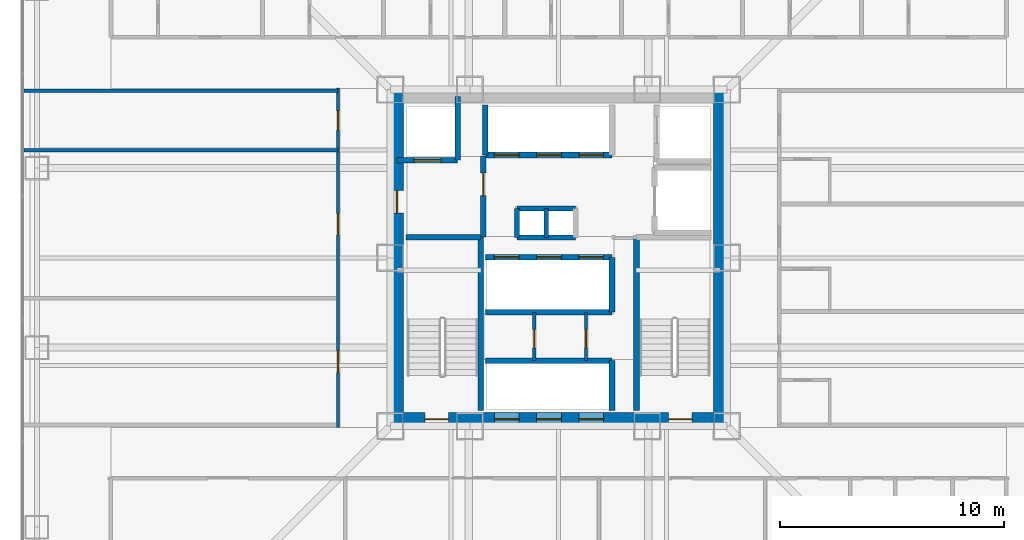
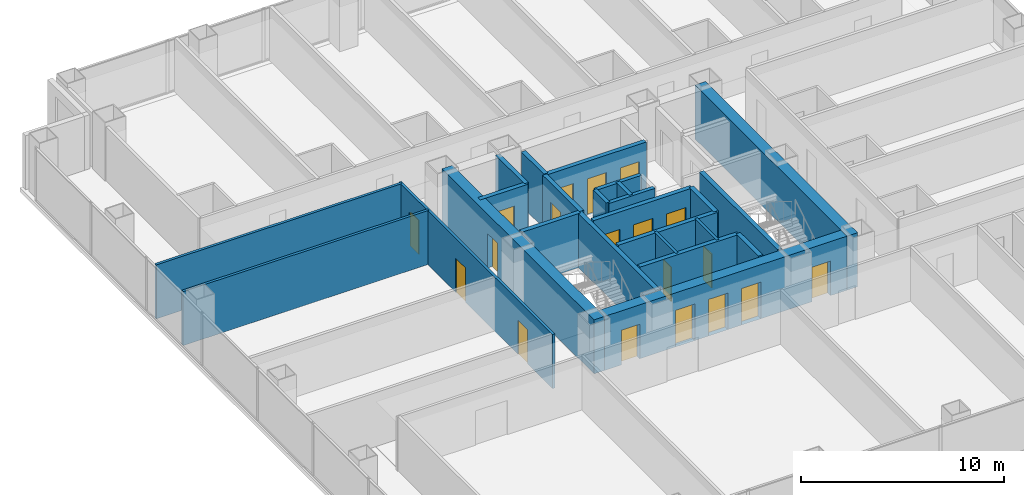
# One storey, part 11 of 16: 25 walls, 19 doors, 19 openings.
"""IFC4 building model written with IfcOpenShell, lengths in metres."""

import ifcopenshell
import ifcopenshell.guid

model = None  # the IFC model being written
_history = None  # IfcOwnerHistory: only IFC2X3 demands one
_inside = {}  # id of a spatial element -> (the spatial element, [elements in it])
_under = {}  # id of a project, library or spatial element -> (it, [spatial elements below it])
_declared = {}  # id of a project -> (the project, [libraries it declares])
_typed = {}  # id of a type object -> (the type object, [elements of that type])
_made_of = {}  # id of a material, layer set ... -> (it, [elements and type objects made of it])


def new_model(schema):
    """Start an empty IFC model of exactly this schema.

    Asked for "IFC4X3", IfcOpenShell would pick the latest addendum, in which some entities
    have other attributes; the version numbers below select the first issue.
    IFC2X3 requires an IfcOwnerHistory on every rooted entity: one is made here for all.
    """
    global model, _history
    if schema == "IFC4X3":
        model = ifcopenshell.file(schema_version=(4, 3, 0, 0))
    else:
        model = ifcopenshell.file(schema=schema)
    _inside.clear()
    _under.clear()
    _declared.clear()
    _typed.clear()
    _made_of.clear()
    _history = None
    if model.schema == "IFC2X3":
        org = make("IfcOrganization", Name="unknown")
        user = make(
            "IfcPersonAndOrganization",
            ThePerson=make("IfcPerson", FamilyName="unknown"),
            TheOrganization=org,
        )
        app = make(
            "IfcApplication",
            ApplicationDeveloper=org,
            Version="unknown",
            ApplicationFullName="unknown",
            ApplicationIdentifier="unknown",
        )
        _history = make(
            "IfcOwnerHistory",
            OwningUser=user,
            OwningApplication=app,
            ChangeAction="ADDED",
            CreationDate=0,
        )
    return model


def make(cls, **values):
    """One entity of the class cls with the attributes given. An attribute that is None is left unset."""
    return model.create_entity(
        cls, **{name: value for name, value in values.items() if value is not None}
    )


def rooted(cls, **values):
    """An entity with a GlobalId (a new one), such as an element, a storey or a relation."""
    return make(cls, GlobalId=ifcopenshell.guid.new(), OwnerHistory=_history, **values)


def si_unit(unit_type, name, prefix=None):
    """IfcSIUnit, for example si_unit("LENGTHUNIT", "METRE", prefix="MILLI")."""
    return make("IfcSIUnit", UnitType=unit_type, Prefix=prefix, Name=name)


def assignment(units):
    """IfcUnitAssignment: the units of a project."""
    return None if units is None else make("IfcUnitAssignment", Units=units)


def point(xyz):
    """IfcCartesianPoint."""
    return None if xyz is None else make("IfcCartesianPoint", Coordinates=xyz)


def direction(xyz):
    """IfcDirection."""
    return None if xyz is None else make("IfcDirection", DirectionRatios=xyz)


def frame(location, z_axis=None, x_axis=None):
    """IfcAxis2Placement3D, a coordinate frame: its origin and axes. An axis left out is left unset."""
    return make(
        "IfcAxis2Placement3D",
        Location=point(location),
        Axis=direction(z_axis),
        RefDirection=direction(x_axis),
    )


def frame_2d(location, x_axis=None):
    """IfcAxis2Placement2D, a coordinate frame in the plane: its origin and x axis."""
    return make(
        "IfcAxis2Placement2D", Location=point(location), RefDirection=direction(x_axis)
    )


def origin():
    """The frame at (0, 0, 0) with its axes left unset."""
    return frame((0.0, 0.0, 0.0))


def place(relative_to, where):
    """IfcLocalPlacement: puts the frame where relative to a parent placement (None: the world)."""
    return make(
        "IfcLocalPlacement", PlacementRelTo=relative_to, RelativePlacement=where
    )


def context(
    kind, dimensions, precision=None, world=None, true_north=None, identifier=None
):
    """IfcGeometricRepresentationContext, for example the 3D "Model" context."""
    return make(
        "IfcGeometricRepresentationContext",
        ContextIdentifier=identifier,
        ContextType=kind,
        CoordinateSpaceDimension=dimensions,
        Precision=precision,
        WorldCoordinateSystem=world,
        TrueNorth=true_north,
    )


def subcontext(parent, identifier, kind, view, scale=None):
    """IfcGeometricRepresentationSubContext, for example "Body" below "Model"."""
    return make(
        "IfcGeometricRepresentationSubContext",
        ContextIdentifier=identifier,
        ContextType=kind,
        ParentContext=parent,
        TargetScale=scale,
        TargetView=view,
    )


def project(units=None, contexts=None):
    """IfcProject with its units and contexts."""
    return rooted(
        "IfcProject",
        Name="project",
        RepresentationContexts=contexts,
        UnitsInContext=assignment(units),
    )


def spatial(cls, under=None, at=None, **own):
    """A site, building, storey or space (cls), placed at a placement, below another one or the project."""
    s = rooted(cls, ObjectPlacement=at, **own)
    if under is not None:
        _under.setdefault(under.id(), (under, []))[1].append(s)
    return s


def profile(cls, at=None, kind="AREA", **sizes):
    """A parametric profile (cls). Its sizes go by their IFC names, for example OverallWidth=200.0."""
    return make(cls, ProfileType=kind, Position=at, **sizes)


def rectangle(**sizes):
    """IfcRectangleProfileDef."""
    return profile("IfcRectangleProfileDef", **sizes)


def extrude(swept, where, along, depth):
    """IfcExtrudedAreaSolid: the profile swept, set in the frame where, extruded along a direction by depth."""
    return make(
        "IfcExtrudedAreaSolid",
        SweptArea=swept,
        Position=where,
        ExtrudedDirection=direction(along),
        Depth=depth,
    )


def shape(context_of_items, identifier, shape_type, items):
    """IfcShapeRepresentation: the items that make up one representation, for example the "Body"."""
    return make(
        "IfcShapeRepresentation",
        ContextOfItems=context_of_items,
        RepresentationIdentifier=identifier,
        RepresentationType=shape_type,
        Items=items,
    )


def material(Name=None, Category=None):
    """IfcMaterial."""
    return make("IfcMaterial", Name=Name, Category=Category)


def layer(
    of_material, thickness, ventilated=None, Name=None, Category=None, Priority=None
):
    """IfcMaterialLayer: one layer of a wall or slab, of a material (None: an air gap)."""
    return make(
        "IfcMaterialLayer",
        Material=of_material,
        LayerThickness=thickness,
        IsVentilated=ventilated,
        Name=Name,
        Category=Category,
        Priority=Priority,
    )


def layer_set(layers, Name=None):
    """IfcMaterialLayerSet."""
    return make("IfcMaterialLayerSet", MaterialLayers=layers, LayerSetName=Name)


def made_of(thing, what):
    """Note that an element or type object is made of a material, layer set ...; save() writes the relation."""
    if what is not None:
        _made_of.setdefault(what.id(), (what, []))[1].append(thing)
    return thing


def type_object(cls, material=None, **own):
    """A type object (cls), such as IfcWallType, which elements share."""
    return made_of(rooted(cls, **own), material)


def element(
    cls,
    number,
    at=None,
    inside=None,
    cuts=None,
    type_object=None,
    material=None,
    context=None,
    identifier="Body",
    shape_type=None,
    held_by="IfcProductDefinitionShape",
    body=None,
    shapes=None,
    **own,
):
    """One element of the class cls, such as IfcWall. Its Tag is "e" and its number.

    at: its placement. inside: the storey or other place that contains it. cuts: it is an
    opening in that element (IfcRelVoidsElement). A single representation is given by context,
    identifier, shape_type and body (its items); several are given by shapes. held_by: the class
    of the entity that holds the representations. save() writes the other relations.
    """
    e = rooted(cls, Tag="e%d" % number, ObjectPlacement=at, **own)
    if body is not None:
        shapes = [shape(context, identifier, shape_type, body)]
    if shapes is not None:
        e.Representation = make(held_by, Representations=shapes)
    if inside is not None:
        _inside.setdefault(inside.id(), (inside, []))[1].append(e)
    if cuts is not None:
        rooted(
            "IfcRelVoidsElement", RelatingBuildingElement=cuts, RelatedOpeningElement=e
        )
    if type_object is not None:
        _typed.setdefault(type_object.id(), (type_object, []))[1].append(e)
    return made_of(e, material)


def fill(opening, filler):
    """IfcRelFillsElement: the door or window that sits in an opening."""
    return rooted(
        "IfcRelFillsElement",
        RelatingOpeningElement=opening,
        RelatedBuildingElement=filler,
    )


def aggregate(whole, parts):
    """IfcRelAggregates: a whole, such as a stair, and the parts it consists of."""
    return rooted("IfcRelAggregates", RelatingObject=whole, RelatedObjects=parts)


def save(model, path):
    """Write the relations noted so far, then the file.

    IfcRelAggregates (storeys below a building ...), IfcRelContainedInSpatialStructure (elements
    in a storey), IfcRelDefinesByType, IfcRelAssociatesMaterial and IfcRelDeclares: one each for
    every whole, place, type object, material and project.
    """
    for whole, parts in _under.values():
        aggregate(whole, parts)
    for where, things in _inside.values():
        rooted(
            "IfcRelContainedInSpatialStructure",
            RelatedElements=things,
            RelatingStructure=where,
        )
    for kind, things in _typed.values():
        rooted("IfcRelDefinesByType", RelatedObjects=things, RelatingType=kind)
    for what, things in _made_of.values():
        rooted("IfcRelAssociatesMaterial", RelatedObjects=things, RelatingMaterial=what)
    for by, libraries in _declared.values():
        rooted("IfcRelDeclares", RelatingContext=by, RelatedDefinitions=libraries)
    model.write(path)


model = new_model("IFC4")

# Units and contexts
model_context = context("Model", 3, precision=1e-05, world=origin(), true_north=direction((0.0, 1.0)))
body_context = subcontext(model_context, "Body", "Model", "MODEL_VIEW")
ifc_project = project(units=[si_unit("LENGTHUNIT", "METRE"), si_unit("AREAUNIT", "SQUARE_METRE"), si_unit("VOLUMEUNIT", "CUBIC_METRE"), si_unit("PLANEANGLEUNIT", "RADIAN"), si_unit("MASSUNIT", "GRAM", prefix="KILO")], contexts=[model_context])

# Site, building, storey
site_placement = place(None, origin())
site = spatial("IfcSite", under=ifc_project, at=site_placement, CompositionType="ELEMENT")
building_placement = place(site_placement, origin())
building = spatial("IfcBuilding", under=site, at=building_placement, Name="Trevonay Congress Spire", CompositionType="ELEMENT")
storey_placement = place(building_placement, frame((0.0, 0.0, 72.5)))
storey = spatial("IfcBuildingStorey", under=building, at=storey_placement, Name="L18", CompositionType="ELEMENT", Elevation=72.5)

# Wall, openings, doors
ifc_material_1 = material(Name="Concrete C60/75", Category="concrete")
ifc_layer_1 = layer(ifc_material_1, 0.60009765625, Name="Concrete C60/75")
ifc_layer_set_1 = layer_set([ifc_layer_1], Name="Concrete C60/75")
wall_type_1 = type_object("IfcWallType", Name="WAL-CORE-600", PredefinedType="SHEAR", material=ifc_layer_set_1)
wall_1_placement = place(storey_placement, frame((-7.5, -7.199951171875, 0.0), z_axis=(0.0, 0.0, 1.0), x_axis=(1.0, 0.0, 0.0)))
wall_1 = element("IfcWall", 1, at=wall_1_placement, inside=storey, type_object=wall_type_1, Name="L18 South structural core shear wall", PredefinedType="SHEAR", context=body_context, shape_type="SweptSolid", body=[
    extrude(rectangle(XDim=15.0, YDim=0.60009765625, at=frame_2d((7.5, 0.0))), origin(), (0.0, 0.0, 1.0), 3.25),
])
opening_1_placement = place(wall_1_placement, frame((1.550048828125, 0.0, 0.0)))
opening_1 = element("IfcOpeningElement", 2, at=opening_1_placement, cuts=wall_1, Name="Opening D05", PredefinedType="OPENING", context=body_context, shape_type="SweptSolid", body=[
    extrude(rectangle(XDim=1.050048828125, YDim=2.080078125, at=frame_2d((0.52490234375, 1.0400390625))), frame((0.0, 0.31005859375, 0.0), z_axis=(0.0, -1.0, 0.0), x_axis=(1.0, 0.0, 0.0)), (0.0, 0.0, 1.0), 0.6201171875),
])
opening_2_placement = place(wall_1_placement, frame((12.39990234375, 0.0, 0.0)))
opening_2 = element("IfcOpeningElement", 3, at=opening_2_placement, cuts=wall_1, Name="Opening D05", PredefinedType="OPENING", context=body_context, shape_type="SweptSolid", body=[
    extrude(rectangle(XDim=1.050048828125, YDim=2.080078125, at=frame_2d((0.52490234375, 1.0400390625))), frame((0.0, 0.31005859375, 0.0), z_axis=(0.0, -1.0, 0.0), x_axis=(1.0, 0.0, 0.0)), (0.0, 0.0, 1.0), 0.6201171875),
])
opening_3_placement = place(wall_1_placement, frame((4.639892578125, 0.0, 0.0)))
opening_3 = element("IfcOpeningElement", 4, at=opening_3_placement, cuts=wall_1, Name="Opening LD01", PredefinedType="OPENING", context=body_context, shape_type="SweptSolid", body=[
    extrude(rectangle(XDim=1.10009765625, YDim=2.199951171875, at=frame_2d((0.550048828125, 1.10009765625))), frame((0.0, 0.31005859375, 0.0), z_axis=(0.0, -1.0, 0.0), x_axis=(1.0, 0.0, 0.0)), (0.0, 0.0, 1.0), 0.6201171875),
])
opening_4_placement = place(wall_1_placement, frame((6.52001953125, 0.0, 0.0)))
opening_4 = element("IfcOpeningElement", 5, at=opening_4_placement, cuts=wall_1, Name="Opening LD01", PredefinedType="OPENING", context=body_context, shape_type="SweptSolid", body=[
    extrude(rectangle(XDim=1.10009765625, YDim=2.199951171875, at=frame_2d((0.550048828125, 1.10009765625))), frame((0.0, 0.31005859375, 0.0), z_axis=(0.0, -1.0, 0.0), x_axis=(1.0, 0.0, 0.0)), (0.0, 0.0, 1.0), 0.6201171875),
])
opening_5_placement = place(wall_1_placement, frame((8.39990234375, 0.0, 0.0)))
opening_5 = element("IfcOpeningElement", 6, at=opening_5_placement, cuts=wall_1, Name="Opening LD01", PredefinedType="OPENING", context=body_context, shape_type="SweptSolid", body=[
    extrude(rectangle(XDim=1.10009765625, YDim=2.199951171875, at=frame_2d((0.550048828125, 1.10009765625))), frame((0.0, 0.31005859375, 0.0), z_axis=(0.0, -1.0, 0.0), x_axis=(1.0, 0.0, 0.0)), (0.0, 0.0, 1.0), 0.6201171875),
])
ifc_material_2 = material(Name="Pale Anodised Aluminium EN AW-6063-T6", Category="aluminium")
door_type_1 = type_object("IfcDoorType", Name="DOR-LIFT-LD01", OperationType="DOUBLE_DOOR_SLIDING", PredefinedType="DOOR", material=ifc_material_2)
door_1_placement = place(opening_3_placement, origin())
door_1 = element("IfcDoor", 7, at=door_1_placement, inside=storey, type_object=door_type_1, Name="L18 Passenger lift PL-01 landing door", OperationType="DOUBLE_DOOR_SLIDING", OverallHeight=2.199951171875, OverallWidth=1.10009765625, PredefinedType="DOOR", context=body_context, shape_type="SweptSolid", body=[
    extrude(rectangle(XDim=1.10009765625, YDim=2.199951171875, at=frame_2d((0.550048828125, 1.10009765625))), frame((0.0, 0.02490234375, 0.0), z_axis=(0.0, -1.0, 0.0), x_axis=(1.0, 0.0, 0.0)), (0.0, 0.0, 1.0), 0.050048828125),
])
fill(opening_3, door_1)
door_2_placement = place(opening_4_placement, origin())
door_2 = element("IfcDoor", 8, at=door_2_placement, inside=storey, type_object=door_type_1, Name="L18 Passenger lift PL-02 landing door", OperationType="DOUBLE_DOOR_SLIDING", OverallHeight=2.199951171875, OverallWidth=1.10009765625, PredefinedType="DOOR", context=body_context, shape_type="SweptSolid", body=[
    extrude(rectangle(XDim=1.10009765625, YDim=2.199951171875, at=frame_2d((0.550048828125, 1.10009765625))), frame((0.0, 0.02490234375, 0.0), z_axis=(0.0, -1.0, 0.0), x_axis=(1.0, 0.0, 0.0)), (0.0, 0.0, 1.0), 0.050048828125),
])
fill(opening_4, door_2)
door_3_placement = place(opening_5_placement, origin())
door_3 = element("IfcDoor", 9, at=door_3_placement, inside=storey, type_object=door_type_1, Name="L18 Passenger lift PL-03 landing door", OperationType="DOUBLE_DOOR_SLIDING", OverallHeight=2.199951171875, OverallWidth=1.10009765625, PredefinedType="DOOR", context=body_context, shape_type="SweptSolid", body=[
    extrude(rectangle(XDim=1.10009765625, YDim=2.199951171875, at=frame_2d((0.550048828125, 1.10009765625))), frame((0.0, 0.02490234375, 0.0), z_axis=(0.0, -1.0, 0.0), x_axis=(1.0, 0.0, 0.0)), (0.0, 0.0, 1.0), 0.050048828125),
])
fill(opening_5, door_3)
ifc_material_3 = material(Name="Steel ASTM A572 Grade 50", Category="steel")
door_type_2 = type_object("IfcDoorType", Name="DOR-STAIR-110", OperationType="NOTDEFINED", PredefinedType="DOOR", material=ifc_material_3)
door_4_placement = place(opening_1_placement, origin())
door_4 = element("IfcDoor", 10, at=door_4_placement, inside=storey, type_object=door_type_2, Name="L18 Protected Stair ST-1 Door", OperationType="SINGLE_SWING_LEFT", OverallHeight=2.080078125, OverallWidth=1.050048828125, PredefinedType="DOOR", context=body_context, shape_type="SweptSolid", body=[
    extrude(rectangle(XDim=1.050048828125, YDim=2.080078125, at=frame_2d((0.52490234375, 1.0400390625))), frame((0.0, 0.02490234375, 0.0), z_axis=(0.0, -1.0, 0.0), x_axis=(1.0, 0.0, 0.0)), (0.0, 0.0, 1.0), 0.050048828125),
])
fill(opening_1, door_4)
door_5_placement = place(opening_2_placement, origin())
door_5 = element("IfcDoor", 11, at=door_5_placement, inside=storey, type_object=door_type_2, Name="L18 Protected Stair ST-2 Door", OperationType="SINGLE_SWING_RIGHT", OverallHeight=2.080078125, OverallWidth=1.050048828125, PredefinedType="DOOR", context=body_context, shape_type="SweptSolid", body=[
    extrude(rectangle(XDim=1.050048828125, YDim=2.080078125, at=frame_2d((0.52490234375, 1.0400390625))), frame((0.0, 0.02490234375, 0.0), z_axis=(0.0, -1.0, 0.0), x_axis=(1.0, 0.0, 0.0)), (0.0, 0.0, 1.0), 0.050048828125),
])
fill(opening_2, door_5)

# Wall, opening, door
wall_2_placement = place(storey_placement, frame((-7.199951171875, -7.5, 0.0), z_axis=(0.0, 0.0, 1.0), x_axis=(0.0, 1.0, 0.0)))
wall_2 = element("IfcWall", 12, at=wall_2_placement, inside=storey, type_object=wall_type_1, Name="L18 West structural core shear wall", PredefinedType="SHEAR", context=body_context, shape_type="SweptSolid", body=[
    extrude(rectangle(XDim=15.0, YDim=0.60009765625, at=frame_2d((7.5, 0.0))), origin(), (0.0, 0.0, 1.0), 3.25),
])
opening_6_placement = place(wall_2_placement, frame((9.5, 0.0, 0.0)))
opening_6 = element("IfcOpeningElement", 13, at=opening_6_placement, cuts=wall_2, Name="Opening D06", PredefinedType="OPENING", context=body_context, shape_type="SweptSolid", body=[
    extrude(rectangle(XDim=1.0, YDim=2.080078125, at=frame_2d((0.5, 1.0400390625))), frame((0.0, 0.31005859375, 0.0), z_axis=(0.0, -1.0, 0.0), x_axis=(1.0, 0.0, 0.0)), (0.0, 0.0, 1.0), 0.6201171875),
])
door_type_3 = type_object("IfcDoorType", Name="DOR-FIRE-100", OperationType="NOTDEFINED", PredefinedType="DOOR", material=ifc_material_3)
door_6_placement = place(opening_6_placement, origin())
door_6 = element("IfcDoor", 14, at=door_6_placement, inside=storey, type_object=door_type_3, Name="L18 Firefighting Lift Lobby West Corridor Door", OperationType="SINGLE_SWING_LEFT", OverallHeight=2.080078125, OverallWidth=1.0, PredefinedType="DOOR", context=body_context, shape_type="SweptSolid", body=[
    extrude(rectangle(XDim=1.0, YDim=2.080078125, at=frame_2d((0.5, 1.0400390625))), frame((0.0, 0.02490234375, 0.0), z_axis=(0.0, -1.0, 0.0), x_axis=(1.0, 0.0, 0.0)), (0.0, 0.0, 1.0), 0.050048828125),
])
fill(opening_6, door_6)

# Wall
wall_3_placement = place(storey_placement, frame((7.199951171875, -7.5, 0.0), z_axis=(0.0, 0.0, 1.0), x_axis=(0.0, 1.0, 0.0)))
element("IfcWall", 15, at=wall_3_placement, inside=storey, type_object=wall_type_1, Name="L18 East structural core shear wall", PredefinedType="SHEAR", context=body_context, shape_type="SweptSolid", body=[
    extrude(rectangle(XDim=15.0, YDim=0.60009765625, at=frame_2d((7.5, 0.0))), origin(), (0.0, 0.0, 1.0), 3.25),
])

# Wall, openings, doors
ifc_material_4 = material(Name="Concrete C40/50", Category="concrete")
ifc_layer_2 = layer(ifc_material_4, 0.14990234375, Name="Concrete C40/50")
ifc_layer_set_2 = layer_set([ifc_layer_2], Name="Concrete C40/50")
wall_type_2 = type_object("IfcWallType", Name="WAL-CORR-150", PredefinedType="PARTITIONING", material=ifc_layer_set_2)
wall_4_placement = place(storey_placement, frame((-9.830078125, -7.570068359375, 0.0), z_axis=(0.0, 0.0, 1.0), x_axis=(0.0, 1.0, 0.0)))
wall_4 = element("IfcWall", 16, at=wall_4_placement, inside=storey, type_object=wall_type_2, Name="L18 interior wall WP-L18W-COR", PredefinedType="PARTITIONING", context=body_context, shape_type="SweptSolid", body=[
    extrude(rectangle(XDim=15.14013671875, YDim=0.14990234375, at=frame_2d((7.570068359375, 0.0))), origin(), (0.0, 0.0, 1.0), 3.25),
])
opening_7_placement = place(wall_4_placement, frame((2.469970703125, 0.0, 0.0)))
opening_7 = element("IfcOpeningElement", 17, at=opening_7_placement, cuts=wall_4, Name="Opening D07", PredefinedType="OPENING", context=body_context, shape_type="SweptSolid", body=[
    extrude(rectangle(XDim=0.949951171875, YDim=2.06005859375, at=frame_2d((0.47509765625, 1.030029296875))), frame((0.0, 0.0849609375, 0.0), z_axis=(0.0, -1.0, 0.0), x_axis=(1.0, 0.0, 0.0)), (0.0, 0.0, 1.0), 0.169921875),
])
opening_8_placement = place(wall_4_placement, frame((8.594970703125, 0.0, 0.0)))
opening_8 = element("IfcOpeningElement", 18, at=opening_8_placement, cuts=wall_4, Name="Opening D07", PredefinedType="OPENING", context=body_context, shape_type="SweptSolid", body=[
    extrude(rectangle(XDim=0.949951171875, YDim=2.06005859375, at=frame_2d((0.47509765625, 1.030029296875))), frame((0.0, 0.0849609375, 0.0), z_axis=(0.0, -1.0, 0.0), x_axis=(1.0, 0.0, 0.0)), (0.0, 0.0, 1.0), 0.169921875),
])
opening_9_placement = place(wall_4_placement, frame((13.27001953125, 0.0, 0.0)))
opening_9 = element("IfcOpeningElement", 19, at=opening_9_placement, cuts=wall_4, Name="Opening D10", PredefinedType="OPENING", context=body_context, shape_type="SweptSolid", body=[
    extrude(rectangle(XDim=0.85009765625, YDim=2.050048828125, at=frame_2d((0.425048828125, 1.02490234375))), frame((0.0, 0.0849609375, 0.0), z_axis=(0.0, -1.0, 0.0), x_axis=(1.0, 0.0, 0.0)), (0.0, 0.0, 1.0), 0.169921875),
])
door_type_4 = type_object("IfcDoorType", Name="DOR-OFFICE-95", OperationType="NOTDEFINED", PredefinedType="DOOR", material=ifc_material_2)
door_7_placement = place(opening_7_placement, origin())
door_7 = element("IfcDoor", 20, at=door_7_placement, inside=storey, type_object=door_type_4, Name="L18 Private Dining Boardroom 1 Door", OperationType="SINGLE_SWING_LEFT", OverallHeight=2.06005859375, OverallWidth=0.949951171875, PredefinedType="DOOR", context=body_context, shape_type="SweptSolid", body=[
    extrude(rectangle(XDim=0.949951171875, YDim=2.06005859375, at=frame_2d((0.47509765625, 1.030029296875))), frame((0.0, 0.02490234375, 0.0), z_axis=(0.0, -1.0, 0.0), x_axis=(1.0, 0.0, 0.0)), (0.0, 0.0, 1.0), 0.050048828125),
])
fill(opening_7, door_7)
door_8_placement = place(opening_8_placement, origin())
door_8 = element("IfcDoor", 21, at=door_8_placement, inside=storey, type_object=door_type_4, Name="L18 Housekeeping and Linen Room Door", OperationType="SINGLE_SWING_RIGHT", OverallHeight=2.06005859375, OverallWidth=0.949951171875, PredefinedType="DOOR", context=body_context, shape_type="SweptSolid", body=[
    extrude(rectangle(XDim=0.949951171875, YDim=2.06005859375, at=frame_2d((0.47509765625, 1.030029296875))), frame((0.0, 0.02490234375, 0.0), z_axis=(0.0, -1.0, 0.0), x_axis=(1.0, 0.0, 0.0)), (0.0, 0.0, 1.0), 0.050048828125),
])
fill(opening_8, door_8)
door_type_5 = type_object("IfcDoorType", Name="DOR-WC-85", OperationType="NOTDEFINED", PredefinedType="DOOR", material=ifc_material_2)
door_9_placement = place(opening_9_placement, origin())
door_9 = element("IfcDoor", 22, at=door_9_placement, inside=storey, type_object=door_type_5, Name="L18 Male Restroom WC Door", OperationType="SINGLE_SWING_LEFT", OverallHeight=2.050048828125, OverallWidth=0.85009765625, PredefinedType="DOOR", context=body_context, shape_type="SweptSolid", body=[
    extrude(rectangle(XDim=0.85009765625, YDim=2.050048828125, at=frame_2d((0.425048828125, 1.02490234375))), frame((0.0, 0.02490234375, 0.0), z_axis=(0.0, -1.0, 0.0), x_axis=(1.0, 0.0, 0.0)), (0.0, 0.0, 1.0), 0.050048828125),
])
fill(opening_9, door_9)

# Wall, opening, door
ifc_layer_3 = layer(ifc_material_4, 0.14990234375, Name="Concrete C40/50")
ifc_layer_set_3 = layer_set([ifc_layer_3], Name="Concrete C40/50")
wall_type_3 = type_object("IfcWallType", Name="WAL-PART-150", PredefinedType="PARTITIONING", material=ifc_layer_set_3)
wall_5_placement = place(storey_placement, frame((-1.080078125, -4.570068359375, 0.0), z_axis=(0.0, 0.0, 1.0), x_axis=(0.0, 1.0, 0.0)))
wall_5 = element("IfcWall", 23, at=wall_5_placement, inside=storey, type_object=wall_type_3, Name="L18 interior wall CW-K3-IT-L18", PredefinedType="PARTITIONING", context=body_context, shape_type="SweptSolid", body=[
    extrude(rectangle(XDim=2.14013671875, YDim=0.14990234375, at=frame_2d((1.070068359375, 0.0))), origin(), (0.0, 0.0, 1.0), 3.25),
])
opening_10_placement = place(wall_5_placement, frame((0.550048828125, 0.0, 0.0)))
opening_10 = element("IfcOpeningElement", 24, at=opening_10_placement, cuts=wall_5, Name="Opening D13", PredefinedType="OPENING", context=body_context, shape_type="SweptSolid", body=[
    extrude(rectangle(XDim=0.820068359375, YDim=2.050048828125, at=frame_2d((0.41015625, 1.02490234375))), frame((0.0, 0.0849609375, 0.0), z_axis=(0.0, -1.0, 0.0), x_axis=(1.0, 0.0, 0.0)), (0.0, 0.0, 1.0), 0.169921875),
])
door_type_6 = type_object("IfcDoorType", Name="DOR-UTIL-80", OperationType="NOTDEFINED", PredefinedType="DOOR", material=ifc_material_3)
door_10_placement = place(opening_10_placement, origin())
door_10 = element("IfcDoor", 25, at=door_10_placement, inside=storey, type_object=door_type_6, Name="L18 Core IT Door", OperationType="SINGLE_SWING_RIGHT", OverallHeight=2.050048828125, OverallWidth=0.820068359375, PredefinedType="DOOR", context=body_context, shape_type="SweptSolid", body=[
    extrude(rectangle(XDim=0.820068359375, YDim=2.050048828125, at=frame_2d((0.41015625, 1.02490234375))), frame((0.0, 0.02490234375, 0.0), z_axis=(0.0, -1.0, 0.0), x_axis=(1.0, 0.0, 0.0)), (0.0, 0.0, 1.0), 0.050048828125),
])
fill(opening_10, door_10)

wall_6_placement = place(storey_placement, frame((1.219970703125, -4.570068359375, 0.0), z_axis=(0.0, 0.0, 1.0), x_axis=(0.0, 1.0, 0.0)))
wall_6 = element("IfcWall", 26, at=wall_6_placement, inside=storey, type_object=wall_type_3, Name="L18 interior wall CW-K3-JAN-L18", PredefinedType="PARTITIONING", context=body_context, shape_type="SweptSolid", body=[
    extrude(rectangle(XDim=2.14013671875, YDim=0.14990234375, at=frame_2d((1.070068359375, 0.0))), origin(), (0.0, 0.0, 1.0), 3.25),
])
opening_11_placement = place(wall_6_placement, frame((0.550048828125, 0.0, 0.0)))
opening_11 = element("IfcOpeningElement", 27, at=opening_11_placement, cuts=wall_6, Name="Opening D13", PredefinedType="OPENING", context=body_context, shape_type="SweptSolid", body=[
    extrude(rectangle(XDim=0.820068359375, YDim=2.050048828125, at=frame_2d((0.41015625, 1.02490234375))), frame((0.0, 0.0849609375, 0.0), z_axis=(0.0, -1.0, 0.0), x_axis=(1.0, 0.0, 0.0)), (0.0, 0.0, 1.0), 0.169921875),
])
door_11_placement = place(opening_11_placement, origin())
door_11 = element("IfcDoor", 28, at=door_11_placement, inside=storey, type_object=door_type_6, Name="L18 Core JAN Door", OperationType="SINGLE_SWING_LEFT", OverallHeight=2.050048828125, OverallWidth=0.820068359375, PredefinedType="DOOR", context=body_context, shape_type="SweptSolid", body=[
    extrude(rectangle(XDim=0.820068359375, YDim=2.050048828125, at=frame_2d((0.41015625, 1.02490234375))), frame((0.0, 0.02490234375, 0.0), z_axis=(0.0, -1.0, 0.0), x_axis=(1.0, 0.0, 0.0)), (0.0, 0.0, 1.0), 0.050048828125),
])
fill(opening_11, door_11)

# Walls
for number, where, z_axis, x_axis, name in (
    (29, (-23.820068359375, 4.800048828125, 0.0), (0.0, 0.0, 1.0), (1.0, 0.0, 0.0), "L18 interior wall WP-L18W-DIV3"),
    (30, (-23.820068359375, 7.449951171875, 0.0), (0.0, 0.0, 1.0), (1.0, 0.0, 0.0), "L18 interior wall WP-L18W-DIV4"),
):
    element("IfcWall", number, at=place(storey_placement, frame(where, z_axis=z_axis, x_axis=x_axis)), inside=storey, type_object=wall_type_3, Name=name, PredefinedType="PARTITIONING", context=body_context, shape_type="SweptSolid", body=[
        extrude(rectangle(XDim=13.989990234375, YDim=0.14990234375, at=frame_2d((6.9951171875, 0.0))), origin(), (0.0, 0.0, 1.0), 3.25),
    ])
ifc_layer_4 = layer(ifc_material_4, 0.219970703125, Name="Concrete C40/50")
ifc_layer_set_4 = layer_set([ifc_layer_4], Name="Concrete C40/50")
wall_type_4 = type_object("IfcWallType", Name="WAL-SHAFT-220", PredefinedType="PARTITIONING", material=ifc_layer_set_4)
for number, where, z_axis, x_axis, name in (
    (31, (-1.85009765625, 2.199951171875, 0.0), (0.0, 0.0, 1.0), (1.0, 0.0, 0.0), "L18 interior shaft wall WSH-L18-RSR-N"),
    (32, (-1.85009765625, 0.89990234375, 0.0), (0.0, 0.0, 1.0), (1.0, 0.0, 0.0), "L18 interior shaft wall WSH-L18-RSR-S"),
):
    element("IfcWall", number, at=place(storey_placement, frame(where, z_axis=z_axis, x_axis=x_axis)), inside=storey, type_object=wall_type_4, Name=name, PredefinedType="PARTITIONING", context=body_context, shape_type="SweptSolid", body=[
        extrude(rectangle(XDim=2.60009765625, YDim=0.219970703125, at=frame_2d((1.300048828125, 0.0))), origin(), (0.0, 0.0, 1.0), 3.25),
    ])
for number, where, z_axis, x_axis, name in (
    (33, (-0.550048828125, 0.89990234375, 0.0), (0.0, 0.0, 1.0), (0.0, 1.0, 0.0), "L18 interior shaft wall WSH-L18-RSR-M"),
    (34, (-1.85009765625, 0.89990234375, 0.0), (0.0, 0.0, 1.0), (0.0, 1.0, 0.0), "L18 interior shaft wall WSH-L18-RSR-W"),
):
    element("IfcWall", number, at=place(storey_placement, frame(where, z_axis=z_axis, x_axis=x_axis)), inside=storey, type_object=wall_type_4, Name=name, PredefinedType="PARTITIONING", context=body_context, shape_type="SweptSolid", body=[
        extrude(rectangle(XDim=1.300048828125, YDim=0.219970703125, at=frame_2d((0.64990234375, 0.0))), origin(), (0.0, 0.0, 1.0), 3.25),
    ])
ifc_layer_5 = layer(ifc_material_4, 0.25, Name="Concrete C40/50")
ifc_layer_set_5 = layer_set([ifc_layer_5], Name="Concrete C40/50")
wall_type_5 = type_object("IfcWallType", Name="WAL-SHAFT-250", PredefinedType="SHEAR", material=ifc_layer_set_5)
wall_7_placement = place(storey_placement, frame((-3.260009765625, -4.580078125, 0.0), z_axis=(0.0, 0.0, 1.0), x_axis=(1.0, 0.0, 0.0)))
element("IfcWall", 35, at=wall_7_placement, inside=storey, type_object=wall_type_5, Name="L18 interior shaft wall WSH-L18-B1-N", PredefinedType="SHEAR", context=body_context, shape_type="SweptSolid", body=[
    extrude(rectangle(XDim=5.639892578125, YDim=0.25, at=frame_2d((2.81982421875, 0.0))), origin(), (0.0, 0.0, 1.0), 3.25),
])
wall_8_placement = place(storey_placement, frame((2.3798828125, -6.800048828125, 0.0), z_axis=(0.0, 0.0, 1.0), x_axis=(0.0, 1.0, 0.0)))
element("IfcWall", 36, at=wall_8_placement, inside=storey, type_object=wall_type_5, Name="L18 interior shaft wall WSH-L18-B1-E", PredefinedType="SHEAR", context=body_context, shape_type="SweptSolid", body=[
    extrude(rectangle(XDim=2.219970703125, YDim=0.25, at=frame_2d((1.10986328125, 0.0))), origin(), (0.0, 0.0, 1.0), 3.25),
])

# Wall, openings, doors
wall_9_placement = place(storey_placement, frame((-3.260009765625, 0.02001953125, 0.0), z_axis=(0.0, 0.0, 1.0), x_axis=(1.0, 0.0, 0.0)))
wall_9 = element("IfcWall", 37, at=wall_9_placement, inside=storey, type_object=wall_type_5, Name="L18 interior shaft wall WSH-L18-B2-N", PredefinedType="SHEAR", context=body_context, shape_type="SweptSolid", body=[
    extrude(rectangle(XDim=5.639892578125, YDim=0.25, at=frame_2d((2.81982421875, 0.0))), origin(), (0.0, 0.0, 1.0), 3.25),
])
opening_12_placement = place(wall_9_placement, frame((0.39990234375, 0.0, 0.0)))
opening_12 = element("IfcOpeningElement", 38, at=opening_12_placement, cuts=wall_9, Name="Opening LD02", PredefinedType="OPENING", context=body_context, shape_type="SweptSolid", body=[
    extrude(rectangle(XDim=1.10009765625, YDim=2.199951171875, at=frame_2d((0.550048828125, 1.10009765625))), frame((0.0, 0.135009765625, 0.0), z_axis=(0.0, -1.0, 0.0), x_axis=(1.0, 0.0, 0.0)), (0.0, 0.0, 1.0), 0.27001953125),
])
opening_13_placement = place(wall_9_placement, frame((2.280029296875, 0.0, 0.0)))
opening_13 = element("IfcOpeningElement", 39, at=opening_13_placement, cuts=wall_9, Name="Opening LD02", PredefinedType="OPENING", context=body_context, shape_type="SweptSolid", body=[
    extrude(rectangle(XDim=1.10009765625, YDim=2.199951171875, at=frame_2d((0.550048828125, 1.10009765625))), frame((0.0, 0.135009765625, 0.0), z_axis=(0.0, -1.0, 0.0), x_axis=(1.0, 0.0, 0.0)), (0.0, 0.0, 1.0), 0.27001953125),
])
opening_14_placement = place(wall_9_placement, frame((4.159912109375, 0.0, 0.0)))
opening_14 = element("IfcOpeningElement", 40, at=opening_14_placement, cuts=wall_9, Name="Opening LD02", PredefinedType="OPENING", context=body_context, shape_type="SweptSolid", body=[
    extrude(rectangle(XDim=1.10009765625, YDim=2.199951171875, at=frame_2d((0.550048828125, 1.10009765625))), frame((0.0, 0.135009765625, 0.0), z_axis=(0.0, -1.0, 0.0), x_axis=(1.0, 0.0, 0.0)), (0.0, 0.0, 1.0), 0.27001953125),
])
door_type_7 = type_object("IfcDoorType", Name="DOR-LIFT-LD02", OperationType="DOUBLE_DOOR_SLIDING", PredefinedType="DOOR", material=ifc_material_2)
door_12_placement = place(opening_12_placement, origin())
door_12 = element("IfcDoor", 41, at=door_12_placement, inside=storey, type_object=door_type_7, Name="L18 Passenger lift PL-04 landing door", OperationType="DOUBLE_DOOR_SLIDING", OverallHeight=2.199951171875, OverallWidth=1.10009765625, PredefinedType="DOOR", context=body_context, shape_type="SweptSolid", body=[
    extrude(rectangle(XDim=1.10009765625, YDim=2.199951171875, at=frame_2d((0.550048828125, 1.10009765625))), frame((0.0, 0.02490234375, 0.0), z_axis=(0.0, -1.0, 0.0), x_axis=(1.0, 0.0, 0.0)), (0.0, 0.0, 1.0), 0.050048828125),
])
fill(opening_12, door_12)
door_13_placement = place(opening_13_placement, origin())
door_13 = element("IfcDoor", 42, at=door_13_placement, inside=storey, type_object=door_type_7, Name="L18 Passenger lift PL-05 landing door", OperationType="DOUBLE_DOOR_SLIDING", OverallHeight=2.199951171875, OverallWidth=1.10009765625, PredefinedType="DOOR", context=body_context, shape_type="SweptSolid", body=[
    extrude(rectangle(XDim=1.10009765625, YDim=2.199951171875, at=frame_2d((0.550048828125, 1.10009765625))), frame((0.0, 0.02490234375, 0.0), z_axis=(0.0, -1.0, 0.0), x_axis=(1.0, 0.0, 0.0)), (0.0, 0.0, 1.0), 0.050048828125),
])
fill(opening_13, door_13)
door_14_placement = place(opening_14_placement, origin())
door_14 = element("IfcDoor", 43, at=door_14_placement, inside=storey, type_object=door_type_7, Name="L18 Passenger lift PL-06 landing door", OperationType="DOUBLE_DOOR_SLIDING", OverallHeight=2.199951171875, OverallWidth=1.10009765625, PredefinedType="DOOR", context=body_context, shape_type="SweptSolid", body=[
    extrude(rectangle(XDim=1.10009765625, YDim=2.199951171875, at=frame_2d((0.550048828125, 1.10009765625))), frame((0.0, 0.02490234375, 0.0), z_axis=(0.0, -1.0, 0.0), x_axis=(1.0, 0.0, 0.0)), (0.0, 0.0, 1.0), 0.050048828125),
])
fill(opening_14, door_14)

# Walls
wall_10_placement = place(storey_placement, frame((-3.260009765625, -2.419921875, 0.0), z_axis=(0.0, 0.0, 1.0), x_axis=(1.0, 0.0, 0.0)))
element("IfcWall", 44, at=wall_10_placement, inside=storey, type_object=wall_type_5, Name="L18 interior shaft wall WSH-L18-B2-S", PredefinedType="SHEAR", context=body_context, shape_type="SweptSolid", body=[
    extrude(rectangle(XDim=5.639892578125, YDim=0.25, at=frame_2d((2.81982421875, 0.0))), origin(), (0.0, 0.0, 1.0), 3.25),
])
wall_11_placement = place(storey_placement, frame((2.3798828125, -2.419921875, 0.0), z_axis=(0.0, 0.0, 1.0), x_axis=(0.0, 1.0, 0.0)))
element("IfcWall", 45, at=wall_11_placement, inside=storey, type_object=wall_type_5, Name="L18 interior shaft wall WSH-L18-B2-E", PredefinedType="SHEAR", context=body_context, shape_type="SweptSolid", body=[
    extrude(rectangle(XDim=2.43994140625, YDim=0.25, at=frame_2d((1.219970703125, 0.0))), origin(), (0.0, 0.0, 1.0), 3.25),
])

# Wall, openings, doors
wall_12_placement = place(storey_placement, frame((-3.260009765625, 4.580078125, 0.0), z_axis=(0.0, 0.0, 1.0), x_axis=(1.0, 0.0, 0.0)))
wall_12 = element("IfcWall", 46, at=wall_12_placement, inside=storey, type_object=wall_type_5, Name="L18 interior shaft wall WSH-L18-B3-S", PredefinedType="SHEAR", context=body_context, shape_type="SweptSolid", body=[
    extrude(rectangle(XDim=5.639892578125, YDim=0.25, at=frame_2d((2.81982421875, 0.0))), origin(), (0.0, 0.0, 1.0), 3.25),
])
opening_15_placement = place(wall_12_placement, frame((0.39990234375, 0.0, 0.0)))
opening_15 = element("IfcOpeningElement", 47, at=opening_15_placement, cuts=wall_12, Name="Opening LD03", PredefinedType="OPENING", context=body_context, shape_type="SweptSolid", body=[
    extrude(rectangle(XDim=1.10009765625, YDim=2.199951171875, at=frame_2d((0.550048828125, 1.10009765625))), frame((0.0, 0.135009765625, 0.0), z_axis=(0.0, -1.0, 0.0), x_axis=(1.0, 0.0, 0.0)), (0.0, 0.0, 1.0), 0.27001953125),
])
opening_16_placement = place(wall_12_placement, frame((2.280029296875, 0.0, 0.0)))
opening_16 = element("IfcOpeningElement", 48, at=opening_16_placement, cuts=wall_12, Name="Opening LD03", PredefinedType="OPENING", context=body_context, shape_type="SweptSolid", body=[
    extrude(rectangle(XDim=1.10009765625, YDim=2.199951171875, at=frame_2d((0.550048828125, 1.10009765625))), frame((0.0, 0.135009765625, 0.0), z_axis=(0.0, -1.0, 0.0), x_axis=(1.0, 0.0, 0.0)), (0.0, 0.0, 1.0), 0.27001953125),
])
opening_17_placement = place(wall_12_placement, frame((4.159912109375, 0.0, 0.0)))
opening_17 = element("IfcOpeningElement", 49, at=opening_17_placement, cuts=wall_12, Name="Opening LD03", PredefinedType="OPENING", context=body_context, shape_type="SweptSolid", body=[
    extrude(rectangle(XDim=1.10009765625, YDim=2.199951171875, at=frame_2d((0.550048828125, 1.10009765625))), frame((0.0, 0.135009765625, 0.0), z_axis=(0.0, -1.0, 0.0), x_axis=(1.0, 0.0, 0.0)), (0.0, 0.0, 1.0), 0.27001953125),
])
door_type_8 = type_object("IfcDoorType", Name="DOR-LIFT-LD03", OperationType="DOUBLE_DOOR_SLIDING", PredefinedType="DOOR", material=ifc_material_2)
door_15_placement = place(opening_15_placement, origin())
door_15 = element("IfcDoor", 50, at=door_15_placement, inside=storey, type_object=door_type_8, Name="L18 Passenger lift PL-07 landing door", OperationType="DOUBLE_DOOR_SLIDING", OverallHeight=2.199951171875, OverallWidth=1.10009765625, PredefinedType="DOOR", context=body_context, shape_type="SweptSolid", body=[
    extrude(rectangle(XDim=1.10009765625, YDim=2.199951171875, at=frame_2d((0.550048828125, 1.10009765625))), frame((0.0, 0.02490234375, 0.0), z_axis=(0.0, -1.0, 0.0), x_axis=(1.0, 0.0, 0.0)), (0.0, 0.0, 1.0), 0.050048828125),
])
fill(opening_15, door_15)
door_16_placement = place(opening_16_placement, origin())
door_16 = element("IfcDoor", 51, at=door_16_placement, inside=storey, type_object=door_type_8, Name="L18 Passenger lift PL-08 landing door", OperationType="DOUBLE_DOOR_SLIDING", OverallHeight=2.199951171875, OverallWidth=1.10009765625, PredefinedType="DOOR", context=body_context, shape_type="SweptSolid", body=[
    extrude(rectangle(XDim=1.10009765625, YDim=2.199951171875, at=frame_2d((0.550048828125, 1.10009765625))), frame((0.0, 0.02490234375, 0.0), z_axis=(0.0, -1.0, 0.0), x_axis=(1.0, 0.0, 0.0)), (0.0, 0.0, 1.0), 0.050048828125),
])
fill(opening_16, door_16)
door_17_placement = place(opening_17_placement, origin())
door_17 = element("IfcDoor", 52, at=door_17_placement, inside=storey, type_object=door_type_8, Name="L18 Passenger lift PL-09 landing door", OperationType="DOUBLE_DOOR_SLIDING", OverallHeight=2.199951171875, OverallWidth=1.10009765625, PredefinedType="DOOR", context=body_context, shape_type="SweptSolid", body=[
    extrude(rectangle(XDim=1.10009765625, YDim=2.199951171875, at=frame_2d((0.550048828125, 1.10009765625))), frame((0.0, 0.02490234375, 0.0), z_axis=(0.0, -1.0, 0.0), x_axis=(1.0, 0.0, 0.0)), (0.0, 0.0, 1.0), 0.050048828125),
])
fill(opening_17, door_17)

# Wall
wall_13_placement = place(storey_placement, frame((-3.260009765625, 4.580078125, 0.0), z_axis=(0.0, 0.0, 1.0), x_axis=(0.0, 1.0, 0.0)))
element("IfcWall", 53, at=wall_13_placement, inside=storey, type_object=wall_type_5, Name="L18 interior shaft wall WSH-L18-B3-W", PredefinedType="SHEAR", context=body_context, shape_type="SweptSolid", body=[
    extrude(rectangle(XDim=2.219970703125, YDim=0.25, at=frame_2d((1.10986328125, 0.0))), origin(), (0.0, 0.0, 1.0), 3.25),
])

# Wall, opening, door
wall_14_placement = place(storey_placement, frame((-7.199951171875, 4.35009765625, 0.0), z_axis=(0.0, 0.0, 1.0), x_axis=(1.0, 0.0, 0.0)))
wall_14 = element("IfcWall", 54, at=wall_14_placement, inside=storey, type_object=wall_type_5, Name="L18 interior shaft wall WSH-L18-FF1-S", PredefinedType="SHEAR", context=body_context, shape_type="SweptSolid", body=[
    extrude(rectangle(XDim=2.699951171875, YDim=0.25, at=frame_2d((1.35009765625, 0.0))), origin(), (0.0, 0.0, 1.0), 3.25),
])
opening_18_placement = place(wall_14_placement, frame((0.75, 0.0, 0.0)))
opening_18 = element("IfcOpeningElement", 55, at=opening_18_placement, cuts=wall_14, Name="Opening LD04", PredefinedType="OPENING", context=body_context, shape_type="SweptSolid", body=[
    extrude(rectangle(XDim=1.199951171875, YDim=2.199951171875, at=frame_2d((0.60009765625, 1.10009765625))), frame((0.0, 0.135009765625, 0.0), z_axis=(0.0, -1.0, 0.0), x_axis=(1.0, 0.0, 0.0)), (0.0, 0.0, 1.0), 0.27001953125),
])
door_type_9 = type_object("IfcDoorType", Name="DOR-LIFT-LD04", OperationType="DOUBLE_DOOR_SLIDING", PredefinedType="DOOR", material=ifc_material_3)
door_18_placement = place(opening_18_placement, origin())
door_18 = element("IfcDoor", 56, at=door_18_placement, inside=storey, type_object=door_type_9, Name="L18 Firefighting lift FFL-01 landing door", OperationType="DOUBLE_DOOR_SLIDING", OverallHeight=2.199951171875, OverallWidth=1.199951171875, PredefinedType="DOOR", context=body_context, shape_type="SweptSolid", body=[
    extrude(rectangle(XDim=1.199951171875, YDim=2.199951171875, at=frame_2d((0.60009765625, 1.10009765625))), frame((0.0, 0.02490234375, 0.0), z_axis=(0.0, -1.0, 0.0), x_axis=(1.0, 0.0, 0.0)), (0.0, 0.0, 1.0), 0.050048828125),
])
fill(opening_18, door_18)

# Wall
wall_15_placement = place(storey_placement, frame((-4.5, 4.35009765625, 0.0), z_axis=(0.0, 0.0, 1.0), x_axis=(0.0, 1.0, 0.0)))
element("IfcWall", 57, at=wall_15_placement, inside=storey, type_object=wall_type_5, Name="L18 interior shaft wall WSH-L18-FF1-E", PredefinedType="SHEAR", context=body_context, shape_type="SweptSolid", body=[
    extrude(rectangle(XDim=2.849853515625, YDim=0.25, at=frame_2d((1.4248046875, 0.0))), origin(), (0.0, 0.0, 1.0), 3.25),
])

# Wall, opening, door
wall_16_placement = place(storey_placement, frame((-3.35009765625, 0.919921875, 0.0), z_axis=(0.0, 0.0, 1.0), x_axis=(0.0, 1.0, 0.0)))
wall_16 = element("IfcWall", 58, at=wall_16_placement, inside=storey, type_object=wall_type_5, Name="L18 interior wall CW-FFLW-E-L18", PredefinedType="SHEAR", context=body_context, shape_type="SweptSolid", body=[
    extrude(rectangle(XDim=3.6201171875, YDim=0.25, at=frame_2d((1.81005859375, 0.0))), origin(), (0.0, 0.0, 1.0), 3.25),
])
opening_19_placement = place(wall_16_placement, frame((1.85009765625, 0.0, 0.0)))
opening_19 = element("IfcOpeningElement", 59, at=opening_19_placement, cuts=wall_16, Name="Opening D06", PredefinedType="OPENING", context=body_context, shape_type="SweptSolid", body=[
    extrude(rectangle(XDim=1.0, YDim=2.080078125, at=frame_2d((0.5, 1.0400390625))), frame((0.0, 0.135009765625, 0.0), z_axis=(0.0, -1.0, 0.0), x_axis=(1.0, 0.0, 0.0)), (0.0, 0.0, 1.0), 0.27001953125),
])
door_19_placement = place(opening_19_placement, origin())
door_19 = element("IfcDoor", 60, at=door_19_placement, inside=storey, type_object=door_type_3, Name="L18 Firefighting Core Lobby Transfer Door", OperationType="SINGLE_SWING_RIGHT", OverallHeight=2.080078125, OverallWidth=1.0, PredefinedType="DOOR", context=body_context, shape_type="SweptSolid", body=[
    extrude(rectangle(XDim=1.0, YDim=2.080078125, at=frame_2d((0.5, 1.0400390625))), frame((0.0, 0.02490234375, 0.0), z_axis=(0.0, -1.0, 0.0), x_axis=(1.0, 0.0, 0.0)), (0.0, 0.0, 1.0), 0.050048828125),
])
fill(opening_19, door_19)

# Walls
ifc_layer_6 = layer(ifc_material_4, 0.25, Name="Concrete C40/50")
ifc_layer_set_6 = layer_set([ifc_layer_6], Name="Concrete C40/50")
wall_type_6 = type_object("IfcWallType", Name="WAL-SHAFT-LB-250", PredefinedType="SHEAR", material=ifc_layer_set_6)
wall_17_placement = place(storey_placement, frame((-3.469970703125, -6.800048828125, 0.0), z_axis=(0.0, 0.0, 1.0), x_axis=(0.0, 1.0, 0.0)))
element("IfcWall", 61, at=wall_17_placement, inside=storey, type_object=wall_type_6, Name="L18 interior shaft wall WSH-L18-ST1-E", PredefinedType="SHEAR", context=body_context, shape_type="SweptSolid", body=[
    extrude(rectangle(XDim=7.719970703125, YDim=0.25, at=frame_2d((3.85986328125, 0.0))), origin(), (0.0, 0.0, 1.0), 3.25),
])
wall_18_placement = place(storey_placement, frame((-6.800048828125, 0.919921875, 0.0), z_axis=(0.0, 0.0, 1.0), x_axis=(1.0, 0.0, 0.0)))
element("IfcWall", 62, at=wall_18_placement, inside=storey, type_object=wall_type_6, Name="L18 interior shaft wall WSH-L18-ST1-N", PredefinedType="SHEAR", context=body_context, shape_type="SweptSolid", body=[
    extrude(rectangle(XDim=3.330078125, YDim=0.25, at=frame_2d((1.6650390625, 0.0))), origin(), (0.0, 0.0, 1.0), 3.25),
])
wall_19_placement = place(storey_placement, frame((3.469970703125, -6.800048828125, 0.0), z_axis=(0.0, 0.0, 1.0), x_axis=(0.0, 1.0, 0.0)))
element("IfcWall", 63, at=wall_19_placement, inside=storey, type_object=wall_type_6, Name="L18 interior shaft wall WSH-L18-ST2-W", PredefinedType="SHEAR", context=body_context, shape_type="SweptSolid", body=[
    extrude(rectangle(XDim=7.719970703125, YDim=0.25, at=frame_2d((3.85986328125, 0.0))), origin(), (0.0, 0.0, 1.0), 3.25),
])

save(model, "model.ifc")
